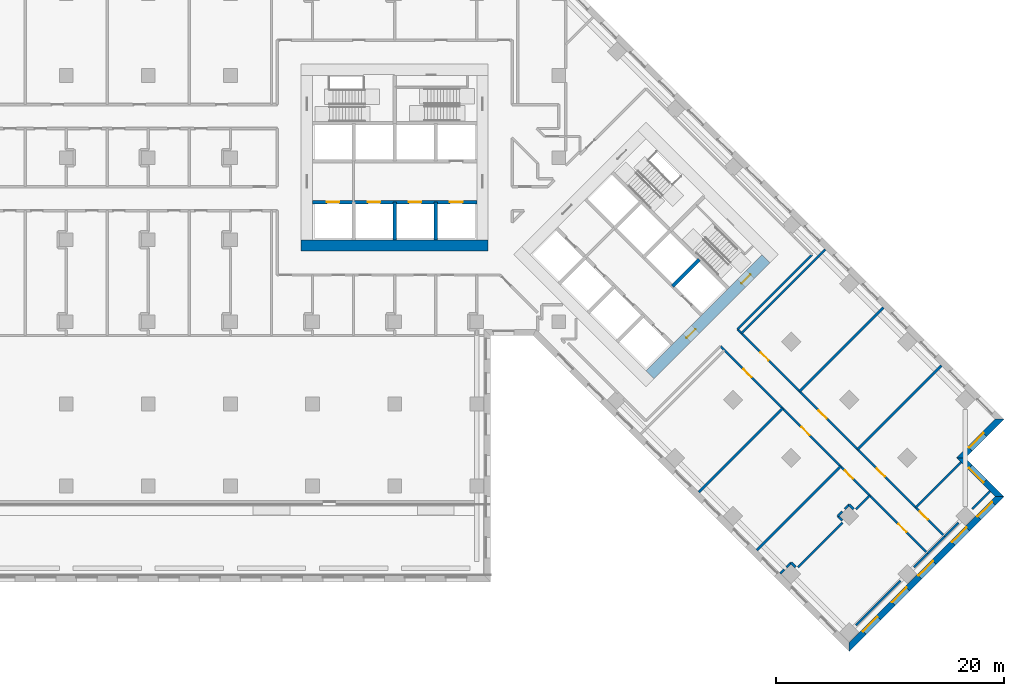
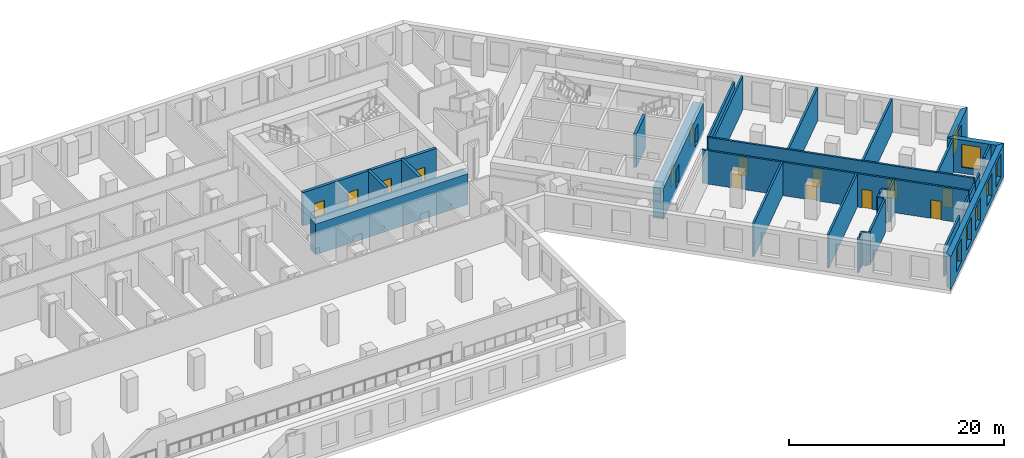
# One storey, part 8 of 14: 32 walls, 14 doors, 7 windows, 21 openings.
"""IFC4 building model written with IfcOpenShell, lengths in metres."""

from ifc_helpers import new_model, si_unit, direction, frame, frame_2d, origin, place, context, subcontext, project, spatial, polyline, rectangle, outline, extrude, material, layer, layer_set, type_object, element, fill, save


model = new_model("IFC4")

# Units and contexts
model_context = context("Model", 3, precision=1e-05, world=origin(), true_north=direction((0.0, 1.0)))
body_context = subcontext(model_context, "Body", "Model", "MODEL_VIEW")
ifc_project = project(units=[si_unit("LENGTHUNIT", "METRE"), si_unit("AREAUNIT", "SQUARE_METRE"), si_unit("VOLUMEUNIT", "CUBIC_METRE"), si_unit("PLANEANGLEUNIT", "RADIAN"), si_unit("MASSUNIT", "GRAM", prefix="KILO")], contexts=[model_context])

# Site, building, storey
site_placement = place(None, origin())
site = spatial("IfcSite", under=ifc_project, at=site_placement, CompositionType="ELEMENT")
building_placement = place(site_placement, origin())
building = spatial("IfcBuilding", under=site, at=building_placement, Name="Windrow Commons", CompositionType="ELEMENT")
storey_placement = place(building_placement, frame((0.0, 0.0, 10.2)))
storey = spatial("IfcBuildingStorey", under=building, at=storey_placement, Name="L02", CompositionType="ELEMENT", Elevation=10.2)

# Wall, openings, windows
ifc_material_1 = material(Name="Brick masonry, red clay brick", Category="masonry")
ifc_layer_1 = layer(ifc_material_1, 0.55)
ifc_layer_set_1 = layer_set([ifc_layer_1], Name="Brick facade wall 550")
wall_type_1 = type_object("IfcWallType", Name="Brick facade wall 550", PredefinedType="SOLIDWALL", material=ifc_layer_set_1)
wall_1_placement = place(storey_placement, frame((104.6558, 14.689, 0.0), z_axis=(0.0, 0.0, 1.0), x_axis=(0.7071094621, 0.7071041002, 0.0)))
wall_1 = element("IfcWall", 1, at=wall_1_placement, inside=storey, type_object=wall_type_1, Name="Brick facade wall L02 1", PredefinedType="SOLIDWALL", context=body_context, shape_type="SweptSolid", body=[
    extrude(outline(polyline([(-0.275, -0.275), (18.925, -0.275), (18.375, 0.275), (0.275, 0.275), (-0.275, -0.275)])), origin(), (0.0, 0.0, 1.0), 3.8),
])
opening_1_placement = place(wall_1_placement, frame((1.825, 0.0, 0.7)))
opening_1 = element("IfcOpeningElement", 2, at=opening_1_placement, cuts=wall_1, Name="Opening W2", PredefinedType="OPENING", context=body_context, shape_type="SweptSolid", body=[
    extrude(rectangle(XDim=1.8, YDim=2.6, at=frame_2d((0.9, 1.3))), frame((0.0, 0.285, 0.0), z_axis=(0.0, -1.0, 0.0), x_axis=(1.0, 0.0, 0.0)), (0.0, 0.0, 1.0), 0.57),
])
opening_2_placement = place(wall_1_placement, frame((5.425, 0.0, 0.7)))
opening_2 = element("IfcOpeningElement", 3, at=opening_2_placement, cuts=wall_1, Name="Opening W2", PredefinedType="OPENING", context=body_context, shape_type="SweptSolid", body=[
    extrude(rectangle(XDim=1.8, YDim=2.6, at=frame_2d((0.9, 1.3))), frame((0.0, 0.285, 0.0), z_axis=(0.0, -1.0, 0.0), x_axis=(1.0, 0.0, 0.0)), (0.0, 0.0, 1.0), 0.57),
])
opening_3_placement = place(wall_1_placement, frame((8.725, 0.0, 0.7)))
opening_3 = element("IfcOpeningElement", 4, at=opening_3_placement, cuts=wall_1, Name="Opening W2", PredefinedType="OPENING", context=body_context, shape_type="SweptSolid", body=[
    extrude(rectangle(XDim=1.8, YDim=2.6, at=frame_2d((0.9, 1.3))), frame((0.0, 0.285, 0.0), z_axis=(0.0, -1.0, 0.0), x_axis=(1.0, 0.0, 0.0)), (0.0, 0.0, 1.0), 0.57),
])
opening_4_placement = place(wall_1_placement, frame((12.875, 0.0, 0.7)))
opening_4 = element("IfcOpeningElement", 5, at=opening_4_placement, cuts=wall_1, Name="Opening W2", PredefinedType="OPENING", context=body_context, shape_type="SweptSolid", body=[
    extrude(rectangle(XDim=1.8, YDim=2.6, at=frame_2d((0.9, 1.3))), frame((0.0, 0.285, 0.0), z_axis=(0.0, -1.0, 0.0), x_axis=(1.0, 0.0, 0.0)), (0.0, 0.0, 1.0), 0.57),
])
opening_5_placement = place(wall_1_placement, frame((16.05, 0.0, 0.7)))
opening_5 = element("IfcOpeningElement", 6, at=opening_5_placement, cuts=wall_1, Name="Opening W2", PredefinedType="OPENING", context=body_context, shape_type="SweptSolid", body=[
    extrude(rectangle(XDim=1.8, YDim=2.6, at=frame_2d((0.9, 1.3))), frame((0.0, 0.285, 0.0), z_axis=(0.0, -1.0, 0.0), x_axis=(1.0, 0.0, 0.0)), (0.0, 0.0, 1.0), 0.57),
])
ifc_material_2 = material(Name="Clear float glass in anodised aluminium frame", Category="aluminium")
window_type = type_object("IfcWindowType", Name="Window W2 podium 1800x2600", PartitioningType="SINGLE_PANEL", PredefinedType="WINDOW", material=ifc_material_2)
window_1_placement = place(opening_1_placement, origin())
window_1 = element("IfcWindow", 7, at=window_1_placement, inside=storey, type_object=window_type, Name="Window L02 1.1", OverallHeight=2.6, OverallWidth=1.8, PartitioningType="SINGLE_PANEL", PredefinedType="WINDOW", context=body_context, shape_type="SweptSolid", body=[
    extrude(rectangle(XDim=1.8, YDim=2.6, at=frame_2d((0.9, 1.3))), frame((0.0, 0.155, 0.0), z_axis=(0.0, -1.0, 0.0), x_axis=(1.0, 0.0, 0.0)), (0.0, 0.0, 1.0), 0.06),
])
fill(opening_1, window_1)
window_2_placement = place(opening_2_placement, origin())
window_2 = element("IfcWindow", 8, at=window_2_placement, inside=storey, type_object=window_type, Name="Window L02 1.2", OverallHeight=2.6, OverallWidth=1.8, PartitioningType="SINGLE_PANEL", PredefinedType="WINDOW", context=body_context, shape_type="SweptSolid", body=[
    extrude(rectangle(XDim=1.8, YDim=2.6, at=frame_2d((0.9, 1.3))), frame((0.0, 0.155, 0.0), z_axis=(0.0, -1.0, 0.0), x_axis=(1.0, 0.0, 0.0)), (0.0, 0.0, 1.0), 0.06),
])
fill(opening_2, window_2)
window_3_placement = place(opening_3_placement, origin())
window_3 = element("IfcWindow", 9, at=window_3_placement, inside=storey, type_object=window_type, Name="Window L02 1.3", OverallHeight=2.6, OverallWidth=1.8, PartitioningType="SINGLE_PANEL", PredefinedType="WINDOW", context=body_context, shape_type="SweptSolid", body=[
    extrude(rectangle(XDim=1.8, YDim=2.6, at=frame_2d((0.9, 1.3))), frame((0.0, 0.155, 0.0), z_axis=(0.0, -1.0, 0.0), x_axis=(1.0, 0.0, 0.0)), (0.0, 0.0, 1.0), 0.06),
])
fill(opening_3, window_3)
window_4_placement = place(opening_4_placement, origin())
window_4 = element("IfcWindow", 10, at=window_4_placement, inside=storey, type_object=window_type, Name="Window L02 1.4", OverallHeight=2.6, OverallWidth=1.8, PartitioningType="SINGLE_PANEL", PredefinedType="WINDOW", context=body_context, shape_type="SweptSolid", body=[
    extrude(rectangle(XDim=1.8, YDim=2.6, at=frame_2d((0.9, 1.3))), frame((0.0, 0.155, 0.0), z_axis=(0.0, -1.0, 0.0), x_axis=(1.0, 0.0, 0.0)), (0.0, 0.0, 1.0), 0.06),
])
fill(opening_4, window_4)
window_5_placement = place(opening_5_placement, origin())
window_5 = element("IfcWindow", 11, at=window_5_placement, inside=storey, type_object=window_type, Name="Window L02 1.5", OverallHeight=2.6, OverallWidth=1.8, PartitioningType="SINGLE_PANEL", PredefinedType="WINDOW", context=body_context, shape_type="SweptSolid", body=[
    extrude(rectangle(XDim=1.8, YDim=2.6, at=frame_2d((0.9, 1.3))), frame((0.0, 0.155, 0.0), z_axis=(0.0, -1.0, 0.0), x_axis=(1.0, 0.0, 0.0)), (0.0, 0.0, 1.0), 0.06),
])
fill(opening_5, window_5)

# Wall, opening, window
wall_2_placement = place(storey_placement, frame((117.8434, 27.8765, 0.0), z_axis=(0.0, 0.0, 1.0), x_axis=(-0.7071067812, 0.7071067812, 0.0)))
wall_2 = element("IfcWall", 12, at=wall_2_placement, inside=storey, type_object=wall_type_1, Name="Brick facade wall L02 2", PredefinedType="SOLIDWALL", context=body_context, shape_type="SweptSolid", body=[
    extrude(outline(polyline([(-0.275, -0.275), (4.525, -0.275), (5.075, 0.275), (0.275, 0.275), (-0.275, -0.275)])), origin(), (0.0, 0.0, 1.0), 3.8),
])
opening_6_placement = place(wall_2_placement, frame((1.8625, 0.0, 0.7)))
opening_6 = element("IfcOpeningElement", 13, at=opening_6_placement, cuts=wall_2, Name="Opening W2", PredefinedType="OPENING", context=body_context, shape_type="SweptSolid", body=[
    extrude(rectangle(XDim=1.8, YDim=2.6, at=frame_2d((0.9, 1.3))), frame((0.0, 0.285, 0.0), z_axis=(0.0, -1.0, 0.0), x_axis=(1.0, 0.0, 0.0)), (0.0, 0.0, 1.0), 0.57),
])
window_6_placement = place(opening_6_placement, origin())
window_6 = element("IfcWindow", 14, at=window_6_placement, inside=storey, type_object=window_type, Name="Window L02 2.1", OverallHeight=2.6, OverallWidth=1.8, PartitioningType="SINGLE_PANEL", PredefinedType="WINDOW", context=body_context, shape_type="SweptSolid", body=[
    extrude(rectangle(XDim=1.8, YDim=2.6, at=frame_2d((0.9, 1.3))), frame((0.0, 0.155, 0.0), z_axis=(0.0, -1.0, 0.0), x_axis=(1.0, 0.0, 0.0)), (0.0, 0.0, 1.0), 0.06),
])
fill(opening_6, window_6)

wall_3_placement = place(storey_placement, frame((114.4493, 31.2706, 0.0), z_axis=(0.0, 0.0, 1.0), x_axis=(0.7070963646, 0.7071171977, 0.0)))
wall_3 = element("IfcWall", 15, at=wall_3_placement, inside=storey, type_object=wall_type_1, Name="Brick facade wall L02 3", PredefinedType="SOLIDWALL", context=body_context, shape_type="SweptSolid", body=[
    extrude(outline(polyline([(0.275, -0.275), (5.075, -0.275), (4.5251, 0.275), (-0.275, 0.275), (0.275, -0.275)])), origin(), (0.0, 0.0, 1.0), 3.8),
])
opening_7_placement = place(wall_3_placement, frame((1.1375, 0.0, 0.7)))
opening_7 = element("IfcOpeningElement", 16, at=opening_7_placement, cuts=wall_3, Name="Opening W2", PredefinedType="OPENING", context=body_context, shape_type="SweptSolid", body=[
    extrude(rectangle(XDim=1.8, YDim=2.6, at=frame_2d((0.9, 1.3))), frame((0.0, 0.285, 0.0), z_axis=(0.0, -1.0, 0.0), x_axis=(1.0, 0.0, 0.0)), (0.0, 0.0, 1.0), 0.57),
])
window_7_placement = place(opening_7_placement, origin())
window_7 = element("IfcWindow", 17, at=window_7_placement, inside=storey, type_object=window_type, Name="Window L02 3.1", OverallHeight=2.6, OverallWidth=1.8, PartitioningType="SINGLE_PANEL", PredefinedType="WINDOW", context=body_context, shape_type="SweptSolid", body=[
    extrude(rectangle(XDim=1.8, YDim=2.6, at=frame_2d((0.9, 1.3))), frame((0.0, 0.155, 0.0), z_axis=(0.0, -1.0, 0.0), x_axis=(1.0, 0.0, 0.0)), (0.0, 0.0, 1.0), 0.06),
])
fill(opening_7, window_7)

# Wall, openings, doors
ifc_material_3 = material(Name="Blockwork partition", Category="masonry")
ifc_layer_2 = layer(ifc_material_3, 0.2)
ifc_layer_set_2 = layer_set([ifc_layer_2], Name="IW-CORRIDOR-200")
wall_type_2 = type_object("IfcWallType", Name="IW-CORRIDOR-200", PredefinedType="PARTITIONING", material=ifc_layer_set_2)
wall_4_placement = place(storey_placement, frame((94.8605, 42.5445, 0.0), z_axis=(0.0, 0.0, 1.0), x_axis=(0.7071067812, -0.7071067812, 0.0)))
wall_4 = element("IfcWall", 18, at=wall_4_placement, inside=storey, type_object=wall_type_2, Name="W-L02-W005", PredefinedType="PARTITIONING", context=body_context, shape_type="SweptSolid", body=[
    extrude(rectangle(XDim=25.6991, YDim=0.2, at=frame_2d((12.8496, 0.0))), origin(), (0.0, 0.0, 1.0), 3.8),
])
opening_8_placement = place(wall_4_placement, frame((10.0719, 0.0, 0.0)))
opening_8 = element("IfcOpeningElement", 19, at=opening_8_placement, cuts=wall_4, Name="Opening D310F", PredefinedType="OPENING", context=body_context, shape_type="SweptSolid", body=[
    extrude(rectangle(XDim=1.0, YDim=2.1, at=frame_2d((0.5, 1.05))), frame((0.0, 0.11, 0.0), z_axis=(0.0, -1.0, 0.0), x_axis=(1.0, 0.0, 0.0)), (0.0, 0.0, 1.0), 0.22),
])
opening_9_placement = place(wall_4_placement, frame((2.8719, 0.0, 0.0)))
opening_9 = element("IfcOpeningElement", 20, at=opening_9_placement, cuts=wall_4, Name="Opening D310F", PredefinedType="OPENING", context=body_context, shape_type="SweptSolid", body=[
    extrude(rectangle(XDim=1.0, YDim=2.1, at=frame_2d((0.5, 1.05))), frame((0.0, 0.11, 0.0), z_axis=(0.0, -1.0, 0.0), x_axis=(1.0, 0.0, 0.0)), (0.0, 0.0, 1.0), 0.22),
])
opening_10_placement = place(wall_4_placement, frame((17.2719, 0.0, 0.0)))
opening_10 = element("IfcOpeningElement", 21, at=opening_10_placement, cuts=wall_4, Name="Opening D310F", PredefinedType="OPENING", context=body_context, shape_type="SweptSolid", body=[
    extrude(rectangle(XDim=1.0, YDim=2.1, at=frame_2d((0.5, 1.05))), frame((0.0, 0.11, 0.0), z_axis=(0.0, -1.0, 0.0), x_axis=(1.0, 0.0, 0.0)), (0.0, 0.0, 1.0), 0.22),
])
opening_11_placement = place(wall_4_placement, frame((22.6057, 0.0, 0.0)))
opening_11 = element("IfcOpeningElement", 22, at=opening_11_placement, cuts=wall_4, Name="Opening D310F", PredefinedType="OPENING", context=body_context, shape_type="SweptSolid", body=[
    extrude(rectangle(XDim=1.0, YDim=2.1, at=frame_2d((0.5, 1.05))), frame((0.0, 0.11, 0.0), z_axis=(0.0, -1.0, 0.0), x_axis=(1.0, 0.0, 0.0)), (0.0, 0.0, 1.0), 0.22),
])
ifc_material_4 = material(Name="Timber door leaf", Category="wood")
door_type_1 = type_object("IfcDoorType", Name="DT-AMENITY-1000", OperationType="SINGLE_SWING_LEFT", PredefinedType="DOOR", material=ifc_material_4)
door_1_placement = place(opening_8_placement, origin())
door_1 = element("IfcDoor", 23, at=door_1_placement, inside=storey, type_object=door_type_1, Name="D-L02-D042", OperationType="SINGLE_SWING_RIGHT", OverallHeight=2.1, OverallWidth=1.0, PredefinedType="DOOR", context=body_context, shape_type="SweptSolid", body=[
    extrude(rectangle(XDim=1.0, YDim=2.1, at=frame_2d((0.5, 1.05))), frame((0.0, 0.025, 0.0), z_axis=(0.0, -1.0, 0.0), x_axis=(1.0, 0.0, 0.0)), (0.0, 0.0, 1.0), 0.05),
])
fill(opening_8, door_1)
door_2_placement = place(opening_9_placement, origin())
door_2 = element("IfcDoor", 24, at=door_2_placement, inside=storey, type_object=door_type_1, Name="D-L02-D046", OperationType="SINGLE_SWING_RIGHT", OverallHeight=2.1, OverallWidth=1.0, PredefinedType="DOOR", context=body_context, shape_type="SweptSolid", body=[
    extrude(rectangle(XDim=1.0, YDim=2.1, at=frame_2d((0.5, 1.05))), frame((0.0, 0.025, 0.0), z_axis=(0.0, -1.0, 0.0), x_axis=(1.0, 0.0, 0.0)), (0.0, 0.0, 1.0), 0.05),
])
fill(opening_9, door_2)
door_3_placement = place(opening_10_placement, origin())
door_3 = element("IfcDoor", 25, at=door_3_placement, inside=storey, type_object=door_type_1, Name="D-L02-D047", OperationType="SINGLE_SWING_RIGHT", OverallHeight=2.1, OverallWidth=1.0, PredefinedType="DOOR", context=body_context, shape_type="SweptSolid", body=[
    extrude(rectangle(XDim=1.0, YDim=2.1, at=frame_2d((0.5, 1.05))), frame((0.0, 0.025, 0.0), z_axis=(0.0, -1.0, 0.0), x_axis=(1.0, 0.0, 0.0)), (0.0, 0.0, 1.0), 0.05),
])
fill(opening_10, door_3)
door_4_placement = place(opening_11_placement, origin())
door_4 = element("IfcDoor", 26, at=door_4_placement, inside=storey, type_object=door_type_1, Name="D-L02-D049", OperationType="SINGLE_SWING_RIGHT", OverallHeight=2.1, OverallWidth=1.0, PredefinedType="DOOR", context=body_context, shape_type="SweptSolid", body=[
    extrude(rectangle(XDim=1.0, YDim=2.1, at=frame_2d((0.5, 1.05))), frame((0.0, 0.025, 0.0), z_axis=(0.0, -1.0, 0.0), x_axis=(1.0, 0.0, 0.0)), (0.0, 0.0, 1.0), 0.05),
])
fill(opening_11, door_4)

wall_5_placement = place(storey_placement, frame((93.3746, 41.0606, 0.0), z_axis=(0.0, 0.0, 1.0), x_axis=(0.7071067812, -0.7071067812, 0.0)))
wall_5 = element("IfcWall", 27, at=wall_5_placement, inside=storey, type_object=wall_type_2, Name="W-L02-W006", PredefinedType="PARTITIONING", context=body_context, shape_type="SweptSolid", body=[
    extrude(rectangle(XDim=25.6991, YDim=0.2, at=frame_2d((12.8496, 0.0))), origin(), (0.0, 0.0, 1.0), 3.8),
])
opening_12_placement = place(wall_5_placement, frame((2.8371, 0.0, 0.0)))
opening_12 = element("IfcOpeningElement", 28, at=opening_12_placement, cuts=wall_5, Name="Opening D310F", PredefinedType="OPENING", context=body_context, shape_type="SweptSolid", body=[
    extrude(rectangle(XDim=1.0, YDim=2.1, at=frame_2d((0.5, 1.05))), frame((0.0, 0.11, 0.0), z_axis=(0.0, -1.0, 0.0), x_axis=(1.0, 0.0, 0.0)), (0.0, 0.0, 1.0), 0.22),
])
opening_13_placement = place(wall_5_placement, frame((10.0371, 0.0, 0.0)))
opening_13 = element("IfcOpeningElement", 29, at=opening_13_placement, cuts=wall_5, Name="Opening D310F", PredefinedType="OPENING", context=body_context, shape_type="SweptSolid", body=[
    extrude(rectangle(XDim=1.0, YDim=2.1, at=frame_2d((0.5, 1.05))), frame((0.0, 0.11, 0.0), z_axis=(0.0, -1.0, 0.0), x_axis=(1.0, 0.0, 0.0)), (0.0, 0.0, 1.0), 0.22),
])
opening_14_placement = place(wall_5_placement, frame((15.4246, 0.0, 0.0)))
opening_14 = element("IfcOpeningElement", 30, at=opening_14_placement, cuts=wall_5, Name="Opening D310F", PredefinedType="OPENING", context=body_context, shape_type="SweptSolid", body=[
    extrude(rectangle(XDim=1.0, YDim=2.1, at=frame_2d((0.5, 1.05))), frame((0.0, 0.11, 0.0), z_axis=(0.0, -1.0, 0.0), x_axis=(1.0, 0.0, 0.0)), (0.0, 0.0, 1.0), 0.22),
])
opening_15_placement = place(wall_5_placement, frame((22.0571, 0.0, 0.0)))
opening_15 = element("IfcOpeningElement", 31, at=opening_15_placement, cuts=wall_5, Name="Opening D310F", PredefinedType="OPENING", context=body_context, shape_type="SweptSolid", body=[
    extrude(rectangle(XDim=1.0, YDim=2.1, at=frame_2d((0.5, 1.05))), frame((0.0, 0.11, 0.0), z_axis=(0.0, -1.0, 0.0), x_axis=(1.0, 0.0, 0.0)), (0.0, 0.0, 1.0), 0.22),
])
door_5_placement = place(opening_12_placement, origin())
door_5 = element("IfcDoor", 32, at=door_5_placement, inside=storey, type_object=door_type_1, Name="D-L02-D043", OperationType="SINGLE_SWING_LEFT", OverallHeight=2.1, OverallWidth=1.0, PredefinedType="DOOR", context=body_context, shape_type="SweptSolid", body=[
    extrude(rectangle(XDim=1.0, YDim=2.1, at=frame_2d((0.5, 1.05))), frame((0.0, 0.025, 0.0), z_axis=(0.0, -1.0, 0.0), x_axis=(1.0, 0.0, 0.0)), (0.0, 0.0, 1.0), 0.05),
])
fill(opening_12, door_5)
door_6_placement = place(opening_13_placement, origin())
door_6 = element("IfcDoor", 33, at=door_6_placement, inside=storey, type_object=door_type_1, Name="D-L02-D044", OperationType="SINGLE_SWING_LEFT", OverallHeight=2.1, OverallWidth=1.0, PredefinedType="DOOR", context=body_context, shape_type="SweptSolid", body=[
    extrude(rectangle(XDim=1.0, YDim=2.1, at=frame_2d((0.5, 1.05))), frame((0.0, 0.025, 0.0), z_axis=(0.0, -1.0, 0.0), x_axis=(1.0, 0.0, 0.0)), (0.0, 0.0, 1.0), 0.05),
])
fill(opening_13, door_6)
door_7_placement = place(opening_14_placement, origin())
door_7 = element("IfcDoor", 34, at=door_7_placement, inside=storey, type_object=door_type_1, Name="D-L02-D045", OperationType="SINGLE_SWING_LEFT", OverallHeight=2.1, OverallWidth=1.0, PredefinedType="DOOR", context=body_context, shape_type="SweptSolid", body=[
    extrude(rectangle(XDim=1.0, YDim=2.1, at=frame_2d((0.5, 1.05))), frame((0.0, 0.025, 0.0), z_axis=(0.0, -1.0, 0.0), x_axis=(1.0, 0.0, 0.0)), (0.0, 0.0, 1.0), 0.05),
])
fill(opening_14, door_7)
door_8_placement = place(opening_15_placement, origin())
door_8 = element("IfcDoor", 35, at=door_8_placement, inside=storey, type_object=door_type_1, Name="D-L02-D048", OperationType="SINGLE_SWING_RIGHT", OverallHeight=2.1, OverallWidth=1.0, PredefinedType="DOOR", context=body_context, shape_type="SweptSolid", body=[
    extrude(rectangle(XDim=1.0, YDim=2.1, at=frame_2d((0.5, 1.05))), frame((0.0, 0.025, 0.0), z_axis=(0.0, -1.0, 0.0), x_axis=(1.0, 0.0, 0.0)), (0.0, 0.0, 1.0), 0.05),
])
fill(opening_15, door_8)

# Walls
wall_6_placement = place(storey_placement, frame((94.8629, 42.5511, 0.0), z_axis=(0.0, 0.0, 1.0), x_axis=(0.7071067812, 0.7071067812, 0.0)))
element("IfcWall", 36, at=wall_6_placement, inside=storey, type_object=wall_type_2, Name="W-L02-W032", PredefinedType="PARTITIONING", context=body_context, shape_type="SweptSolid", body=[
    extrude(rectangle(XDim=9.249, YDim=0.2, at=frame_2d((4.6245, 0.0))), origin(), (0.0, 0.0, 1.0), 3.8),
])
wall_7_placement = place(storey_placement, frame((111.5524, 22.8896, 0.0), z_axis=(0.0, 0.0, 1.0), x_axis=(0.7075827869, 0.7066304548, 0.0)))
element("IfcWall", 37, at=wall_7_placement, inside=storey, type_object=wall_type_2, Name="W-L02-W078", PredefinedType="PARTITIONING", context=body_context, shape_type="SweptSolid", body=[
    extrude(rectangle(XDim=2.1001, YDim=0.2, at=frame_2d((1.05, 0.0))), origin(), (0.0, 0.0, 1.0), 3.2),
])
ifc_material_5 = material(Name="Blockwork partition", Category="masonry")
ifc_layer_3 = layer(ifc_material_5, 0.2)
ifc_layer_set_3 = layer_set([ifc_layer_3], Name="IW-PARTY-200")
wall_type_3 = type_object("IfcWallType", Name="IW-PARTY-200", PredefinedType="PARTITIONING", material=ifc_layer_set_3)
for number, where, z_axis, x_axis, name in (
    (38, (91.4675, 28.2663, 0.0), (0.0, 0.0, 1.0), (0.7071067812, 0.7071067812, 0.0), "W-L02-W015"),
    (39, (96.5586, 23.1751, 0.0), (0.0, 0.0, 1.0), (0.7071115887, 0.7071019736, 0.0), "W-L02-W016"),
):
    element("IfcWall", number, at=place(storey_placement, frame(where, z_axis=z_axis, x_axis=x_axis)), inside=storey, type_object=wall_type_3, Name=name, PredefinedType="PARTITIONING", context=body_context, shape_type="SweptSolid", body=[
        extrude(rectangle(XDim=10.4003, YDim=0.2, at=frame_2d((5.2001, 0.0))), origin(), (0.0, 0.0, 1.0), 3.8),
    ])
for number, where, z_axis, x_axis, name in (
    (40, (105.3978, 32.0142, 0.0), (0.0, 0.0, 1.0), (0.7071019733, 0.707111589, 0.0), "W-L02-W028"),
    (41, (100.3066, 37.1054, 0.0), (0.0, 0.0, 1.0), (0.7071067812, 0.7071067812, 0.0), "W-L02-W029"),
    (42, (95.2154, 42.1966, 0.0), (0.0, 0.0, 1.0), (0.707111589, 0.7071019733, 0.0), "W-L02-W030"),
):
    element("IfcWall", number, at=place(storey_placement, frame(where, z_axis=z_axis, x_axis=x_axis)), inside=storey, type_object=wall_type_3, Name=name, PredefinedType="PARTITIONING", context=body_context, shape_type="SweptSolid", body=[
        extrude(rectangle(XDim=10.3996, YDim=0.2, at=frame_2d((5.1998, 0.0))), origin(), (0.0, 0.0, 1.0), 3.8),
    ])
wall_8_placement = place(storey_placement, frame((110.4889, 26.9231, 0.0), z_axis=(0.0, 0.0, 1.0), x_axis=(0.7071067812, 0.7071067812, 0.0)))
element("IfcWall", 43, at=wall_8_placement, inside=storey, type_object=wall_type_3, Name="W-L02-W049", PredefinedType="PARTITIONING", context=body_context, shape_type="SweptSolid", body=[
    extrude(rectangle(XDim=5.5996, YDim=0.2, at=frame_2d((2.7998, 0.0))), origin(), (0.0, 0.0, 1.0), 3.8),
])
wall_9_placement = place(storey_placement, frame((105.2555, 16.5985, 0.0), z_axis=(0.0, 0.0, 1.0), x_axis=(0.7071067812, 0.7071067812, 0.0)))
element("IfcWall", 44, at=wall_9_placement, inside=storey, type_object=wall_type_3, Name="W-L02-W050", PredefinedType="PARTITIONING", context=body_context, shape_type="SweptSolid", body=[
    extrude(rectangle(XDim=5.5041, YDim=0.2, at=frame_2d((2.7521, 0.0))), origin(), (0.0, 0.0, 1.0), 3.2),
])
wall_10_placement = place(storey_placement, frame((100.1634, 21.6886, 0.0), z_axis=(0.0, 0.0, 1.0), x_axis=(0.7071067812, 0.7071067812, 0.0)))
element("IfcWall", 45, at=wall_10_placement, inside=storey, type_object=wall_type_3, Name="W-L02-W051", PredefinedType="PARTITIONING", context=body_context, shape_type="SweptSolid", body=[
    extrude(rectangle(XDim=5.5041, YDim=0.2, at=frame_2d((2.7521, 0.0))), origin(), (0.0, 0.0, 1.0), 3.8),
])
wall_11_placement = place(storey_placement, frame((115.4375, 26.7805, 0.0), z_axis=(0.0, 0.0, 1.0), x_axis=(0.7071067812, 0.7071067812, 0.0)))
element("IfcWall", 46, at=wall_11_placement, inside=storey, type_object=wall_type_3, Name="W-L02-W077", PredefinedType="PARTITIONING", context=body_context, shape_type="SweptSolid", body=[
    extrude(rectangle(XDim=2.2012, YDim=0.2, at=frame_2d((1.1006, 0.0))), origin(), (0.0, 0.0, 1.0), 3.8),
])
wall_12_placement = place(storey_placement, frame((110.3455, 21.6885, 0.0), z_axis=(0.0, 0.0, 1.0), x_axis=(0.7071067812, 0.7071067812, 0.0)))
element("IfcWall", 47, at=wall_12_placement, inside=storey, type_object=wall_type_3, Name="W-L02-W103", PredefinedType="PARTITIONING", context=body_context, shape_type="SweptSolid", body=[
    extrude(rectangle(XDim=1.7027, YDim=0.2, at=frame_2d((0.8514, 0.0))), origin(), (0.0, 0.0, 1.0), 3.2),
])
wall_13_placement = place(storey_placement, frame((113.034, 24.378, 0.0), z_axis=(0.0, 0.0, 1.0), x_axis=(0.7065187509, 0.7076943229, 0.0)))
element("IfcWall", 48, at=wall_13_placement, inside=storey, type_object=wall_type_3, Name="W-L02-W104", PredefinedType="PARTITIONING", context=body_context, shape_type="SweptSolid", body=[
    extrude(rectangle(XDim=1.7013, YDim=0.2, at=frame_2d((0.8507, 0.0))), origin(), (0.0, 0.0, 1.0), 3.2),
])
wall_14_placement = place(storey_placement, frame((105.2554, 26.7806, 0.0), z_axis=(0.0, 0.0, 1.0), x_axis=(0.7071067812, 0.7071067812, 0.0)))
element("IfcWall", 49, at=wall_14_placement, inside=storey, type_object=wall_type_3, Name="W-L02-W105", PredefinedType="PARTITIONING", context=body_context, shape_type="SweptSolid", body=[
    extrude(rectangle(XDim=1.6999, YDim=0.2, at=frame_2d((0.8499, 0.0))), origin(), (0.0, 0.0, 1.0), 3.8),
])
for number, where, z_axis, x_axis, name in (
    (50, (99.5683, 22.0823, 0.0), (0.0, 0.0, 1.0), (0.7071067812, -0.7071067812, 0.0), "W-L02-W174"),
    (51, (99.1734, 21.6886, 0.0), (0.0, 0.0, 1.0), (0.7071067812, 0.7071067812, 0.0), "W-L02-W175"),
    (52, (103.6614, 26.1766, 0.0), (0.0, 0.0, 1.0), (0.7071067812, 0.7071067812, 0.0), "W-L02-W176"),
    (53, (103.6625, 26.1765, 0.0), (0.0, 0.0, 1.0), (0.7071067812, -0.7071067812, 0.0), "W-L02-W177"),
):
    element("IfcWall", number, at=place(storey_placement, frame(where, z_axis=z_axis, x_axis=x_axis)), inside=storey, type_object=wall_type_3, Name=name, PredefinedType="PARTITIONING", context=body_context, shape_type="SweptSolid", body=[
        extrude(rectangle(XDim=0.5572, YDim=0.2, at=frame_2d((0.2786, 0.0))), origin(), (0.0, 0.0, 1.0), 3.8),
    ])
wall_15_placement = place(storey_placement, frame((104.2625, 26.7835, 0.0), z_axis=(0.0, 0.0, 1.0), x_axis=(0.7089037401, 0.705305244, 0.0)))
element("IfcWall", 54, at=wall_15_placement, inside=storey, type_object=wall_type_3, Name="W-L02-W178", PredefinedType="PARTITIONING", context=body_context, shape_type="SweptSolid", body=[
    extrude(rectangle(XDim=0.5558, YDim=0.2, at=frame_2d((0.2779, 0.0))), origin(), (0.0, 0.0, 1.0), 3.8),
])
wall_16_placement = place(storey_placement, frame((104.6605, 27.1725, 0.0), z_axis=(0.0, 0.0, 1.0), x_axis=(0.7071067812, -0.7071067812, 0.0)))
element("IfcWall", 55, at=wall_16_placement, inside=storey, type_object=wall_type_3, Name="W-L02-W179", PredefinedType="PARTITIONING", context=body_context, shape_type="SweptSolid", body=[
    extrude(rectangle(XDim=0.5544, YDim=0.2, at=frame_2d((0.2772, 0.0))), origin(), (0.0, 0.0, 1.0), 3.8),
])
wall_17_placement = place(storey_placement, frame((98.6092, 21.1245, 0.0), z_axis=(0.0, 0.0, 1.0), x_axis=(0.7072066057, 0.7070069426, 0.0)))
element("IfcWall", 56, at=wall_17_placement, inside=storey, type_object=wall_type_3, Name="W-L02-W189", PredefinedType="PARTITIONING", context=body_context, shape_type="SweptSolid", body=[
    extrude(rectangle(XDim=0.5008, YDim=0.2, at=frame_2d((0.2504, 0.0))), origin(), (0.0, 0.0, 1.0), 3.8),
])
ifc_material_6 = material(Name="Concrete C60/75", Category="concrete")
ifc_layer_4 = layer(ifc_material_6, 1.0)
ifc_layer_set_4 = layer_set([ifc_layer_4], Name="RC CORE WALL 1000 C60/75")
wall_type_4 = type_object("IfcWallType", Name="RC CORE WALL 1000 C60/75", PredefinedType="SHEAR", material=ifc_layer_set_4)
wall_18_placement = place(storey_placement, frame((56.6, 49.9, -0.4), z_axis=(0.0, 0.0, 1.0), x_axis=(1.0, 0.0, 0.0)))
element("IfcWall", 57, at=wall_18_placement, inside=storey, type_object=wall_type_4, Name="Core A wall outer-S", PredefinedType="SHEAR", context=body_context, shape_type="SweptSolid", body=[
    extrude(rectangle(XDim=16.4, YDim=1.0, at=frame_2d((8.2, 0.0))), origin(), (0.0, 0.0, 1.0), 3.5),
])

# Wall, openings, doors
wall_19_placement = place(storey_placement, frame((87.1903, 38.5538, -0.4), z_axis=(0.0, 0.0, 1.0), x_axis=(0.707103309, 0.7071102534, 0.0)))
wall_19 = element("IfcWall", 58, at=wall_19_placement, inside=storey, type_object=wall_type_4, Name="Core B wall outer-E", PredefinedType="SHEAR", context=body_context, shape_type="SweptSolid", body=[
    extrude(rectangle(XDim=14.4, YDim=1.0, at=frame_2d((7.2, 0.0))), origin(), (0.0, 0.0, 1.0), 3.5),
])
opening_16_placement = place(wall_19_placement, frame((4.55, 0.0, 0.4)))
opening_16 = element("IfcOpeningElement", 59, at=opening_16_placement, cuts=wall_19, Name="Opening D6", PredefinedType="OPENING", context=body_context, shape_type="SweptSolid", body=[
    extrude(rectangle(XDim=1.1, YDim=2.1, at=frame_2d((0.55, 1.05))), frame((0.0, 0.51, 0.0), z_axis=(0.0, -1.0, 0.0), x_axis=(1.0, 0.0, 0.0)), (0.0, 0.0, 1.0), 1.02),
])
opening_17_placement = place(wall_19_placement, frame((11.35, 0.0, 0.4)))
opening_17 = element("IfcOpeningElement", 60, at=opening_17_placement, cuts=wall_19, Name="Opening D7", PredefinedType="OPENING", context=body_context, shape_type="SweptSolid", body=[
    extrude(rectangle(XDim=1.1, YDim=2.1, at=frame_2d((0.55, 1.05))), frame((0.0, 0.51, 0.0), z_axis=(0.0, -1.0, 0.0), x_axis=(1.0, 0.0, 0.0)), (0.0, 0.0, 1.0), 1.02),
])
ifc_material_7 = material(Name="Steel fire door leaf", Category="steel")
door_type_2 = type_object("IfcDoorType", Name="Core lobby door 1100", OperationType="SINGLE_SWING_LEFT", PredefinedType="DOOR", material=ifc_material_7)
door_9_placement = place(opening_16_placement, origin())
door_9 = element("IfcDoor", 61, at=door_9_placement, inside=storey, type_object=door_type_2, Name="Lift lobby door", OperationType="DOUBLE_DOOR_SINGLE_SWING", OverallHeight=2.1, OverallWidth=1.1, PredefinedType="DOOR", context=body_context, shape_type="SweptSolid", body=[
    extrude(rectangle(XDim=1.1, YDim=2.1, at=frame_2d((0.55, 1.05))), frame((0.0, 0.025, 0.0), z_axis=(0.0, -1.0, 0.0), x_axis=(1.0, 0.0, 0.0)), (0.0, 0.0, 1.0), 0.05),
])
fill(opening_16, door_9)
ifc_material_8 = material(Name="Steel fire door leaf", Category="steel")
door_type_3 = type_object("IfcDoorType", Name="Stair door 1100", OperationType="SINGLE_SWING_LEFT", PredefinedType="DOOR", material=ifc_material_8)
door_10_placement = place(opening_17_placement, origin())
door_10 = element("IfcDoor", 62, at=door_10_placement, inside=storey, type_object=door_type_3, Name="Stair door", OperationType="SINGLE_SWING_RIGHT", OverallHeight=2.1, OverallWidth=1.1, PredefinedType="DOOR", context=body_context, shape_type="SweptSolid", body=[
    extrude(rectangle(XDim=1.1, YDim=2.1, at=frame_2d((0.55, 1.05))), frame((0.0, 0.025, 0.0), z_axis=(0.0, -1.0, 0.0), x_axis=(1.0, 0.0, 0.0)), (0.0, 0.0, 1.0), 0.05),
])
fill(opening_17, door_10)

# Walls
ifc_material_9 = material(Name="Concrete C60/75", Category="concrete")
ifc_layer_5 = layer(ifc_material_9, 0.3)
ifc_layer_set_5 = layer_set([ifc_layer_5], Name="RC SHAFT WALL 300 C60/75")
wall_type_5 = type_object("IfcWallType", Name="RC SHAFT WALL 300 C60/75", PredefinedType="SOLIDWALL", material=ifc_layer_set_5)
for number, where, z_axis, x_axis, name in (
    (63, (64.8, 50.4, 0.0), (0.0, 0.0, 1.0), (0.0, 1.0, 0.0), "Core A wall shaft-S2"),
    (64, (68.4, 50.4, 0.0), (0.0, 0.0, 1.0), (0.0, 1.0, 0.0), "Core A wall shaft-S3"),
):
    element("IfcWall", number, at=place(storey_placement, frame(where, z_axis=z_axis, x_axis=x_axis)), inside=storey, type_object=wall_type_5, Name=name, PredefinedType="SOLIDWALL", context=body_context, shape_type="SweptSolid", body=[
        extrude(rectangle(XDim=3.3, YDim=0.3, at=frame_2d((1.65, 0.0))), origin(), (0.0, 0.0, 1.0), 3.8),
    ])

# Wall, openings, doors
wall_20_placement = place(storey_placement, frame((57.6, 53.7, 0.0), z_axis=(0.0, 0.0, 1.0), x_axis=(1.0, 0.0, 0.0)))
wall_20 = element("IfcWall", 65, at=wall_20_placement, inside=storey, type_object=wall_type_5, Name="Core A wall lobby-S", PredefinedType="SOLIDWALL", context=body_context, shape_type="SweptSolid", body=[
    extrude(rectangle(XDim=14.4, YDim=0.3, at=frame_2d((7.2, 0.0))), origin(), (0.0, 0.0, 1.0), 3.8),
])
opening_18_placement = place(wall_20_placement, frame((1.25, 0.0, 0.0)))
opening_18 = element("IfcOpeningElement", 66, at=opening_18_placement, cuts=wall_20, Name="Opening LD", PredefinedType="OPENING", context=body_context, shape_type="SweptSolid", body=[
    extrude(rectangle(XDim=1.1, YDim=2.1, at=frame_2d((0.55, 1.05))), frame((0.0, 0.16, 0.0), z_axis=(0.0, -1.0, 0.0), x_axis=(1.0, 0.0, 0.0)), (0.0, 0.0, 1.0), 0.32),
])
opening_19_placement = place(wall_20_placement, frame((4.85, 0.0, 0.0)))
opening_19 = element("IfcOpeningElement", 67, at=opening_19_placement, cuts=wall_20, Name="Opening LD", PredefinedType="OPENING", context=body_context, shape_type="SweptSolid", body=[
    extrude(rectangle(XDim=1.1, YDim=2.1, at=frame_2d((0.55, 1.05))), frame((0.0, 0.16, 0.0), z_axis=(0.0, -1.0, 0.0), x_axis=(1.0, 0.0, 0.0)), (0.0, 0.0, 1.0), 0.32),
])
opening_20_placement = place(wall_20_placement, frame((8.45, 0.0, 0.0)))
opening_20 = element("IfcOpeningElement", 68, at=opening_20_placement, cuts=wall_20, Name="Opening LD", PredefinedType="OPENING", context=body_context, shape_type="SweptSolid", body=[
    extrude(rectangle(XDim=1.1, YDim=2.1, at=frame_2d((0.55, 1.05))), frame((0.0, 0.16, 0.0), z_axis=(0.0, -1.0, 0.0), x_axis=(1.0, 0.0, 0.0)), (0.0, 0.0, 1.0), 0.32),
])
opening_21_placement = place(wall_20_placement, frame((12.05, 0.0, 0.0)))
opening_21 = element("IfcOpeningElement", 69, at=opening_21_placement, cuts=wall_20, Name="Opening LD", PredefinedType="OPENING", context=body_context, shape_type="SweptSolid", body=[
    extrude(rectangle(XDim=1.1, YDim=2.1, at=frame_2d((0.55, 1.05))), frame((0.0, 0.16, 0.0), z_axis=(0.0, -1.0, 0.0), x_axis=(1.0, 0.0, 0.0)), (0.0, 0.0, 1.0), 0.32),
])
ifc_material_10 = material(Name="Stainless steel door leaf", Category="steel")
door_type_4 = type_object("IfcDoorType", Name="Lift landing door 1100", OperationType="SLIDING_TO_LEFT", PredefinedType="DOOR", material=ifc_material_10)
door_11_placement = place(opening_18_placement, origin())
door_11 = element("IfcDoor", 70, at=door_11_placement, inside=storey, type_object=door_type_4, Name="Lift landing door", OperationType="SLIDING_TO_LEFT", OverallHeight=2.1, OverallWidth=1.1, PredefinedType="DOOR", context=body_context, shape_type="SweptSolid", body=[
    extrude(rectangle(XDim=1.1, YDim=2.1, at=frame_2d((0.55, 1.05))), frame((0.0, 0.025, 0.0), z_axis=(0.0, -1.0, 0.0), x_axis=(1.0, 0.0, 0.0)), (0.0, 0.0, 1.0), 0.05),
])
fill(opening_18, door_11)
door_12_placement = place(opening_19_placement, origin())
door_12 = element("IfcDoor", 71, at=door_12_placement, inside=storey, type_object=door_type_4, Name="Lift landing door", OperationType="SLIDING_TO_RIGHT", OverallHeight=2.1, OverallWidth=1.1, PredefinedType="DOOR", context=body_context, shape_type="SweptSolid", body=[
    extrude(rectangle(XDim=1.1, YDim=2.1, at=frame_2d((0.55, 1.05))), frame((0.0, 0.025, 0.0), z_axis=(0.0, -1.0, 0.0), x_axis=(1.0, 0.0, 0.0)), (0.0, 0.0, 1.0), 0.05),
])
fill(opening_19, door_12)
door_13_placement = place(opening_20_placement, origin())
door_13 = element("IfcDoor", 72, at=door_13_placement, inside=storey, type_object=door_type_4, Name="Lift landing door", OperationType="SLIDING_TO_LEFT", OverallHeight=2.1, OverallWidth=1.1, PredefinedType="DOOR", context=body_context, shape_type="SweptSolid", body=[
    extrude(rectangle(XDim=1.1, YDim=2.1, at=frame_2d((0.55, 1.05))), frame((0.0, 0.025, 0.0), z_axis=(0.0, -1.0, 0.0), x_axis=(1.0, 0.0, 0.0)), (0.0, 0.0, 1.0), 0.05),
])
fill(opening_20, door_13)
door_14_placement = place(opening_21_placement, origin())
door_14 = element("IfcDoor", 73, at=door_14_placement, inside=storey, type_object=door_type_4, Name="Lift landing door", OperationType="SLIDING_TO_RIGHT", OverallHeight=2.1, OverallWidth=1.1, PredefinedType="DOOR", context=body_context, shape_type="SweptSolid", body=[
    extrude(rectangle(XDim=1.1, YDim=2.1, at=frame_2d((0.55, 1.05))), frame((0.0, 0.025, 0.0), z_axis=(0.0, -1.0, 0.0), x_axis=(1.0, 0.0, 0.0)), (0.0, 0.0, 1.0), 0.05),
])
fill(opening_21, door_14)

# Wall
wall_21_placement = place(storey_placement, frame((89.1702, 46.332, 0.0), z_axis=(0.0, 0.0, 1.0), x_axis=(0.7071067812, 0.7071067812, 0.0)))
element("IfcWall", 74, at=wall_21_placement, inside=storey, type_object=wall_type_5, Name="Core B wall shaft-N3", PredefinedType="SOLIDWALL", context=body_context, shape_type="SweptSolid", body=[
    extrude(rectangle(XDim=3.3001, YDim=0.3, at=frame_2d((1.6501, 0.0))), origin(), (0.0, 0.0, 1.0), 3.8),
])

save(model, "model.ifc")
